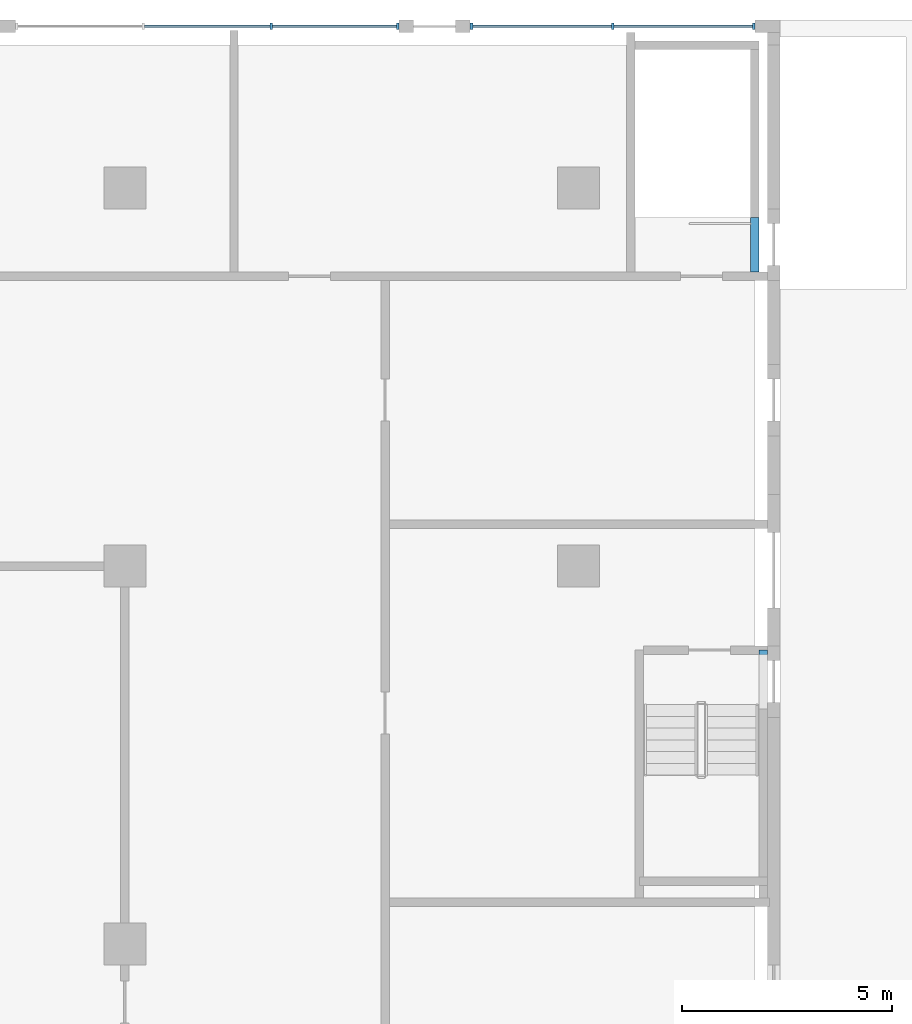
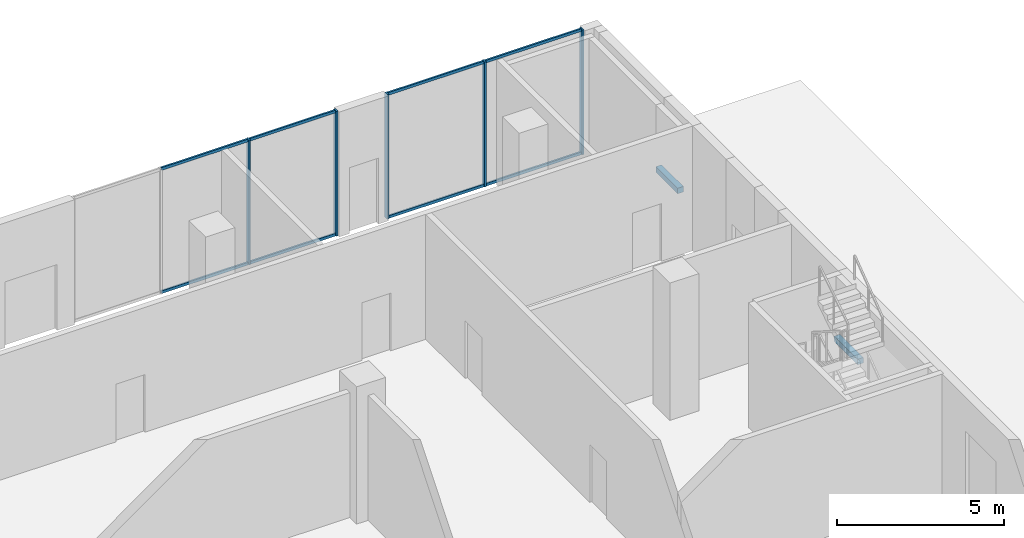
# One storey, part 15 of 57: 13 members, 2 beams, 2 elements without a shape of their own.
"""IFC4 building model written with IfcOpenShell, lengths in metres."""

from ifc_helpers import new_model, si_unit, direction, frame, origin, origin_2d, place, context, subcontext, project, spatial, rectangle, hollow_rectangle, extrude, material, material_profile, profile_set, type_object, element, aggregate, save


model = new_model("IFC4")

# Units and contexts
model_context = context("Model", 3, precision=1e-05, world=origin(), true_north=direction((0.0, 1.0)))
body_context = subcontext(model_context, "Body", "Model", "MODEL_VIEW")
ifc_project = project(units=[si_unit("LENGTHUNIT", "METRE"), si_unit("AREAUNIT", "SQUARE_METRE"), si_unit("VOLUMEUNIT", "CUBIC_METRE"), si_unit("PLANEANGLEUNIT", "RADIAN"), si_unit("MASSUNIT", "GRAM", prefix="KILO")], contexts=[model_context])

# Site, building, storey
site_placement = place(None, origin())
site = spatial("IfcSite", under=ifc_project, at=site_placement, CompositionType="ELEMENT")
building_placement = place(site_placement, origin())
building = spatial("IfcBuilding", under=site, at=building_placement, Name="Beryl Residences", CompositionType="ELEMENT")
storey_placement = place(building_placement, origin())
storey = spatial("IfcBuildingStorey", under=building, at=storey_placement, Name="L00", CompositionType="ELEMENT", Elevation=0.0)

# Curtain wall, members
ifc_material_1 = material(Name="Aluminium and clear glass", Category="aluminium")
curtain_wall_type = type_object("IfcCurtainWallType", Name="CW1 shopfront glazed wall", PredefinedType="NOTDEFINED", material=ifc_material_1)
curtain_wall_1_placement = place(storey_placement, origin())
curtain_wall_1 = element("IfcCurtainWall", 1, at=curtain_wall_1_placement, inside=storey, type_object=curtain_wall_type, Name="CW1 L00 N", PredefinedType="NOTDEFINED")
ifc_material_2 = material(Name="Aluminium", Category="aluminium")
ifc_material_profile_1 = material_profile(ifc_material_2, rectangle(XDim=0.06005859375, YDim=0.14990234375, at=origin_2d()))
ifc_profile_set_1 = profile_set([ifc_material_profile_1], Name="Aluminium")
member_type_1 = type_object("IfcMemberType", Name="CW1-M mullion 60 x 150 mm", PredefinedType="MULLION", material=ifc_profile_set_1)
member_1_placement = place(storey_placement, frame((47.3701171875, 39.85009765625, 0.0), z_axis=(0.0, 0.0, 1.0), x_axis=(-1.0, 0.0, 0.0)))
member_1 = element("IfcMember", 2, at=member_1_placement, type_object=member_type_1, Name="CW1 mullion 1", PredefinedType="MULLION", context=body_context, shape_type="SweptSolid", body=[
    extrude(rectangle(XDim=0.06005859375, YDim=0.14990234375, at=origin_2d()), origin(), (0.0, 0.0, 1.0), 4.550048828125),
])
member_2_placement = place(storey_placement, frame((44.012451171875, 39.85009765625, 0.0), z_axis=(0.0, 0.0, 1.0), x_axis=(-1.0, 0.0, 0.0)))
member_2 = element("IfcMember", 3, at=member_2_placement, type_object=member_type_1, Name="CW1 mullion 2", PredefinedType="MULLION", context=body_context, shape_type="SweptSolid", body=[
    extrude(rectangle(XDim=0.06005859375, YDim=0.14990234375, at=origin_2d()), origin(), (0.0, 0.0, 1.0), 4.550048828125),
])
member_3_placement = place(storey_placement, frame((40.655029296875, 39.85009765625, 0.0), z_axis=(0.0, 0.0, 1.0), x_axis=(-1.0, 0.0, 0.0)))
member_3 = element("IfcMember", 4, at=member_3_placement, type_object=member_type_1, Name="CW1 mullion 3", PredefinedType="MULLION", context=body_context, shape_type="SweptSolid", body=[
    extrude(rectangle(XDim=0.06005859375, YDim=0.14990234375, at=origin_2d()), origin(), (0.0, 0.0, 1.0), 4.550048828125),
])

curtain_wall_2_placement = place(storey_placement, origin())
curtain_wall_2 = element("IfcCurtainWall", 5, at=curtain_wall_2_placement, inside=storey, type_object=curtain_wall_type, Name="CW1 L00 N", PredefinedType="NOTDEFINED")
member_4_placement = place(storey_placement, frame((38.89501953125, 39.85009765625, 0.0), z_axis=(0.0, 0.0, 1.0), x_axis=(-1.0, 0.0, 0.0)))
member_4 = element("IfcMember", 6, at=member_4_placement, type_object=member_type_1, Name="CW1 mullion 1", PredefinedType="MULLION", context=body_context, shape_type="SweptSolid", body=[
    extrude(rectangle(XDim=0.06005859375, YDim=0.14990234375, at=origin_2d()), origin(), (0.0, 0.0, 1.0), 4.550048828125),
])
member_5_placement = place(storey_placement, frame((35.88330078125, 39.85009765625, 0.0), z_axis=(0.0, 0.0, 1.0), x_axis=(-1.0, 0.0, 0.0)))
member_5 = element("IfcMember", 7, at=member_5_placement, type_object=member_type_1, Name="CW1 mullion 2", PredefinedType="MULLION", context=body_context, shape_type="SweptSolid", body=[
    extrude(rectangle(XDim=0.06005859375, YDim=0.14990234375, at=origin_2d()), origin(), (0.0, 0.0, 1.0), 4.550048828125),
])

# Member
ifc_material_3 = material(Name="Aluminium", Category="aluminium")
ifc_material_profile_2 = material_profile(ifc_material_3, hollow_rectangle(XDim=0.06005859375, YDim=0.10009765625, WallThickness=0.00390625, at=origin_2d()))
ifc_profile_set_2 = profile_set([ifc_material_profile_2], Name="Aluminium")
member_type_2 = type_object("IfcMemberType", Name="CW1-T transom 60 x 100 mm", PredefinedType="USERDEFINED", material=ifc_profile_set_2)
member_6_placement = place(storey_placement, frame((47.340087890625, 39.85009765625, 0.030029296875), z_axis=(-1.0, 0.0, 0.0), x_axis=(0.0, -1.0, 0.0)))
member_6 = element("IfcMember", 8, at=member_6_placement, type_object=member_type_2, Name="CW1 transom 1.1", ObjectType="TRANSOM", PredefinedType="USERDEFINED", context=body_context, shape_type="SweptSolid", body=[
    extrude(hollow_rectangle(XDim=0.06005859375, YDim=0.10009765625, WallThickness=0.00390625, at=origin_2d()), origin(), (0.0, 0.0, 1.0), 3.297607421875),
])

member_7_placement = place(storey_placement, frame((47.340087890625, 39.85009765625, 4.52001953125), z_axis=(-1.0, 0.0, 0.0), x_axis=(0.0, -1.0, 0.0)))
member_7 = element("IfcMember", 9, at=member_7_placement, type_object=member_type_2, Name="CW1 transom 1.2", ObjectType="TRANSOM", PredefinedType="USERDEFINED", context=body_context, shape_type="SweptSolid", body=[
    extrude(hollow_rectangle(XDim=0.06005859375, YDim=0.10009765625, WallThickness=0.00390625, at=origin_2d()), origin(), (0.0, 0.0, 1.0), 3.297607421875),
])

member_8_placement = place(storey_placement, frame((43.982421875, 39.85009765625, 0.030029296875), z_axis=(-1.0, 0.0, 0.0), x_axis=(0.0, -1.0, 0.0)))
member_8 = element("IfcMember", 10, at=member_8_placement, type_object=member_type_2, Name="CW1 transom 2.1", ObjectType="TRANSOM", PredefinedType="USERDEFINED", context=body_context, shape_type="SweptSolid", body=[
    extrude(hollow_rectangle(XDim=0.06005859375, YDim=0.10009765625, WallThickness=0.00390625, at=origin_2d()), origin(), (0.0, 0.0, 1.0), 3.29736328125),
])

member_9_placement = place(storey_placement, frame((43.982421875, 39.85009765625, 4.52001953125), z_axis=(-1.0, 0.0, 0.0), x_axis=(0.0, -1.0, 0.0)))
member_9 = element("IfcMember", 11, at=member_9_placement, type_object=member_type_2, Name="CW1 transom 2.2", ObjectType="TRANSOM", PredefinedType="USERDEFINED", context=body_context, shape_type="SweptSolid", body=[
    extrude(hollow_rectangle(XDim=0.06005859375, YDim=0.10009765625, WallThickness=0.00390625, at=origin_2d()), origin(), (0.0, 0.0, 1.0), 3.29736328125),
])

aggregate(curtain_wall_1, [member_1, member_2, member_3, member_6, member_7, member_8, member_9])

member_10_placement = place(storey_placement, frame((38.864990234375, 39.85009765625, 0.030029296875), z_axis=(-1.0, 0.0, 0.0), x_axis=(0.0, -1.0, 0.0)))
member_10 = element("IfcMember", 12, at=member_10_placement, type_object=member_type_2, Name="CW1 transom 1.1", ObjectType="TRANSOM", PredefinedType="USERDEFINED", context=body_context, shape_type="SweptSolid", body=[
    extrude(hollow_rectangle(XDim=0.06005859375, YDim=0.10009765625, WallThickness=0.00390625, at=origin_2d()), origin(), (0.0, 0.0, 1.0), 2.95166015625),
])

member_11_placement = place(storey_placement, frame((38.864990234375, 39.85009765625, 4.52001953125), z_axis=(-1.0, 0.0, 0.0), x_axis=(0.0, -1.0, 0.0)))
member_11 = element("IfcMember", 13, at=member_11_placement, type_object=member_type_2, Name="CW1 transom 1.2", ObjectType="TRANSOM", PredefinedType="USERDEFINED", context=body_context, shape_type="SweptSolid", body=[
    extrude(hollow_rectangle(XDim=0.06005859375, YDim=0.10009765625, WallThickness=0.00390625, at=origin_2d()), origin(), (0.0, 0.0, 1.0), 2.95166015625),
])

member_12_placement = place(storey_placement, frame((35.853271484375, 39.85009765625, 0.030029296875), z_axis=(-1.0, 0.0, 0.0), x_axis=(0.0, -1.0, 0.0)))
member_12 = element("IfcMember", 14, at=member_12_placement, type_object=member_type_2, Name="CW1 transom 2.1", ObjectType="TRANSOM", PredefinedType="USERDEFINED", context=body_context, shape_type="SweptSolid", body=[
    extrude(hollow_rectangle(XDim=0.06005859375, YDim=0.10009765625, WallThickness=0.00390625, at=origin_2d()), origin(), (0.0, 0.0, 1.0), 2.981689453125),
])

member_13_placement = place(storey_placement, frame((35.853271484375, 39.85009765625, 4.52001953125), z_axis=(-1.0, 0.0, 0.0), x_axis=(0.0, -1.0, 0.0)))
member_13 = element("IfcMember", 15, at=member_13_placement, type_object=member_type_2, Name="CW1 transom 2.2", ObjectType="TRANSOM", PredefinedType="USERDEFINED", context=body_context, shape_type="SweptSolid", body=[
    extrude(hollow_rectangle(XDim=0.06005859375, YDim=0.10009765625, WallThickness=0.00390625, at=origin_2d()), origin(), (0.0, 0.0, 1.0), 2.981689453125),
])

aggregate(curtain_wall_2, [member_4, member_5, member_10, member_11, member_12, member_13])

# Beams
ifc_material_4 = material(Name="Concrete C40/50", Category="concrete")
ifc_material_profile_3 = material_profile(ifc_material_4, rectangle(XDim=0.199951171875, YDim=0.199951171875, at=origin_2d()))
ifc_profile_set_3 = profile_set([ifc_material_profile_3], Name="Concrete C40/50")
beam_type = type_object("IfcBeamType", Name="LB1 lintel beam 200 x 200 mm Concrete C40/50", PredefinedType="LINTEL", material=ifc_profile_set_3)
beam_1_placement = place(storey_placement, frame((47.39990234375, 34.0, 2.199951171875), z_axis=(0.0, 1.0, 0.0), x_axis=(-1.0, 0.0, 0.0)))
element("IfcBeam", 16, at=beam_1_placement, inside=storey, type_object=beam_type, Name="LB1 L00 stair door lintel", PredefinedType="LINTEL", context=body_context, shape_type="SweptSolid", body=[
    extrude(rectangle(XDim=0.199951171875, YDim=0.199951171875, at=origin_2d()), origin(), (0.0, 0.0, 1.0), 1.300048828125),
])
beam_2_placement = place(storey_placement, frame((47.60009765625, 23.60009765625, 2.199951171875), z_axis=(0.0, 1.0, 0.0), x_axis=(-1.0, 0.0, 0.0)))
element("IfcBeam", 17, at=beam_2_placement, inside=storey, type_object=beam_type, Name="LB1 L00 stair door lintel", PredefinedType="LINTEL", context=body_context, shape_type="SweptSolid", body=[
    extrude(rectangle(XDim=0.199951171875, YDim=0.199951171875, at=origin_2d()), origin(), (0.0, 0.0, 1.0), 1.39990234375),
])

save(model, "model.ifc")
